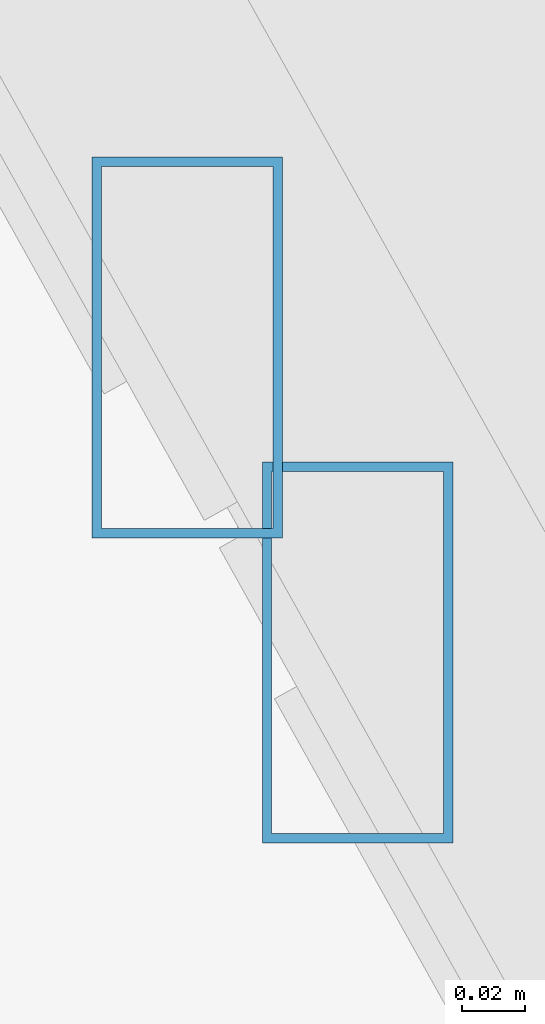
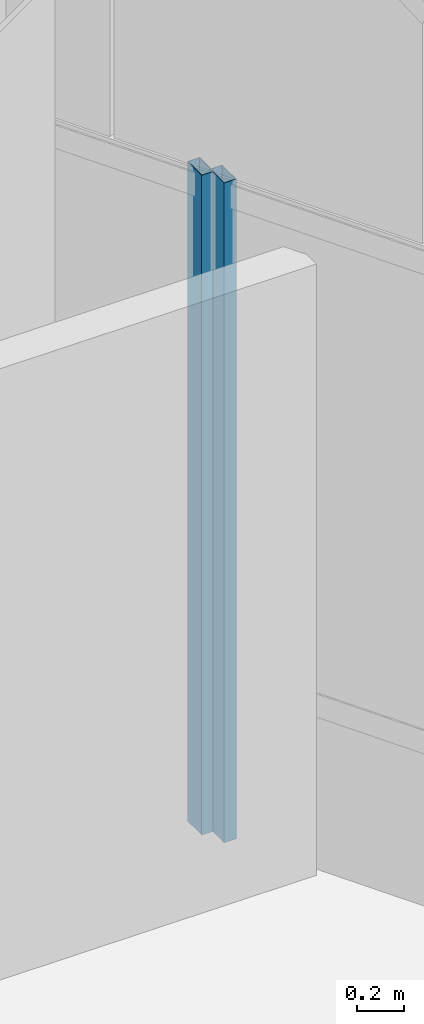
# One storey, part 32 of 50: 2 members, 2 elements without a shape of their own.
"""IFC4 building model written with IfcOpenShell, lengths in metres."""

from ifc_helpers import new_model, si_unit, direction, frame, origin, origin_2d, place, context, subcontext, project, spatial, hollow_rectangle, extrude, source, transform, mapped, material, material_profile, profile_set, type_object, type_shapes, element, aggregate, save


model = new_model("IFC4")

# Units and contexts
model_context = context("Model", 3, precision=1e-05, world=origin(), true_north=direction((0.0, 1.0)))
body_context = subcontext(model_context, "Body", "Model", "MODEL_VIEW")
ifc_project = project(units=[si_unit("LENGTHUNIT", "METRE"), si_unit("AREAUNIT", "SQUARE_METRE"), si_unit("VOLUMEUNIT", "CUBIC_METRE"), si_unit("PLANEANGLEUNIT", "RADIAN"), si_unit("MASSUNIT", "GRAM", prefix="KILO")], contexts=[model_context])

# Site, building, storey
site_placement = place(None, origin())
site = spatial("IfcSite", under=ifc_project, at=site_placement, CompositionType="ELEMENT")
building_placement = place(site_placement, origin())
building = spatial("IfcBuilding", under=site, at=building_placement, Name="Caelisora Broadcast Tower", CompositionType="ELEMENT")
storey_placement = place(building_placement, frame((0.0, 0.0, 303.39990234375)))
storey = spatial("IfcBuildingStorey", under=building, at=storey_placement, Name="L80", CompositionType="ELEMENT", Elevation=303.39990234375)

# Curtain wall, member
ifc_material_1 = material(Name="Unitised Aluminium Insulated Shadow-Box Spandrel Curtain Wall", Category="aluminium")
curtain_wall_type = type_object("IfcCurtainWallType", Name="CW-SP3", PredefinedType="NOTDEFINED", material=ifc_material_1)
curtain_wall_1_placement = place(storey_placement, origin())
curtain_wall_1 = element("IfcCurtainWall", 1, at=curtain_wall_1_placement, inside=storey, type_object=curtain_wall_type, Name="L80 curtain wall CW-SP3", PredefinedType="NOTDEFINED")
ifc_material_2 = material(Name="Aluminium 6063-T6 Anodised Terracotta Bronze", Category="aluminium")
ifc_material_profile = material_profile(ifc_material_2, hollow_rectangle(XDim=0.06005859375, YDim=0.1201171875, WallThickness=0.0029296875, at=origin_2d()), Name="Aluminium 6063-T6 Anodised Terracotta Bronze")
ifc_profile_set = profile_set([ifc_material_profile], Name="Aluminium 6063-T6 Anodised Terracotta Bronze")
member_type = type_object("IfcMemberType", Name="CWM-04", PredefinedType="MULLION", material=ifc_profile_set)
shared_shape = source(origin(), body_context, "Body", "SweptSolid", [
    extrude(hollow_rectangle(XDim=0.06005859375, YDim=0.1201171875, WallThickness=0.0029296875, at=origin_2d()), origin(), (0.0, 0.0, 1.0), 3.400146484375),
])
type_shapes(member_type, [shared_shape])
member_1_placement = place(storey_placement, frame((53.9248046875, 25.4677734375, 0.0), z_axis=(0.0, 0.0, 1.0), x_axis=(1.0, 0.0, 0.0)))
member_1 = element("IfcMember", 2, at=member_1_placement, type_object=member_type, Name="L80-CW-B02 mullion #3", PredefinedType="MULLION", context=body_context, shape_type="MappedRepresentation", body=[
    mapped(shared_shape, transform((0.0, 0.0, 0.0), scale=1.0)),
])
aggregate(curtain_wall_1, [member_1])

curtain_wall_2_placement = place(storey_placement, origin())
curtain_wall_2 = element("IfcCurtainWall", 3, at=curtain_wall_2_placement, inside=storey, type_object=curtain_wall_type, Name="L80 curtain wall CW-SP3", PredefinedType="NOTDEFINED")
member_2_placement = place(storey_placement, frame((53.978515625, 25.37158203125, 0.0), z_axis=(0.0, 0.0, 1.0), x_axis=(1.0, 0.0, 0.0)))
member_2 = element("IfcMember", 4, at=member_2_placement, type_object=member_type, Name="L80-CW-B03 mullion #0", PredefinedType="MULLION", context=body_context, shape_type="MappedRepresentation", body=[
    mapped(shared_shape, transform((0.0, 0.0, 0.0), scale=1.0)),
])
aggregate(curtain_wall_2, [member_2])

save(model, "model.ifc")
